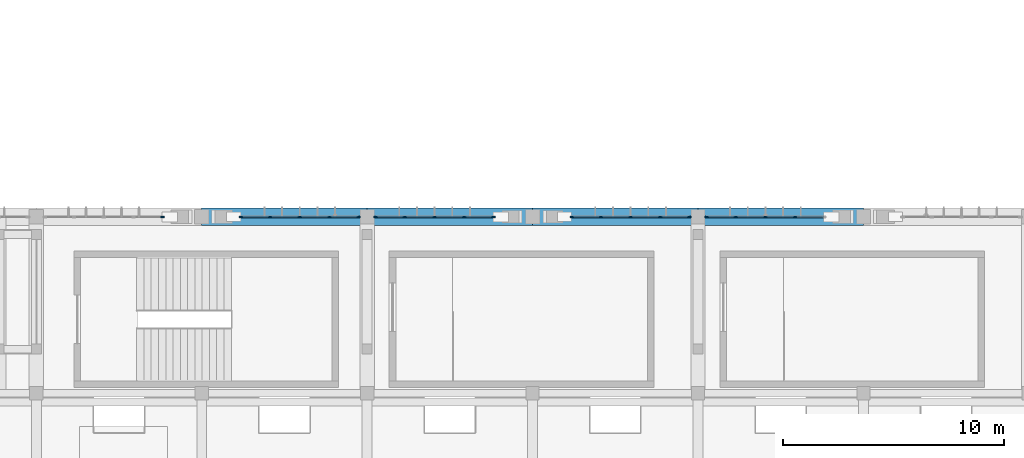
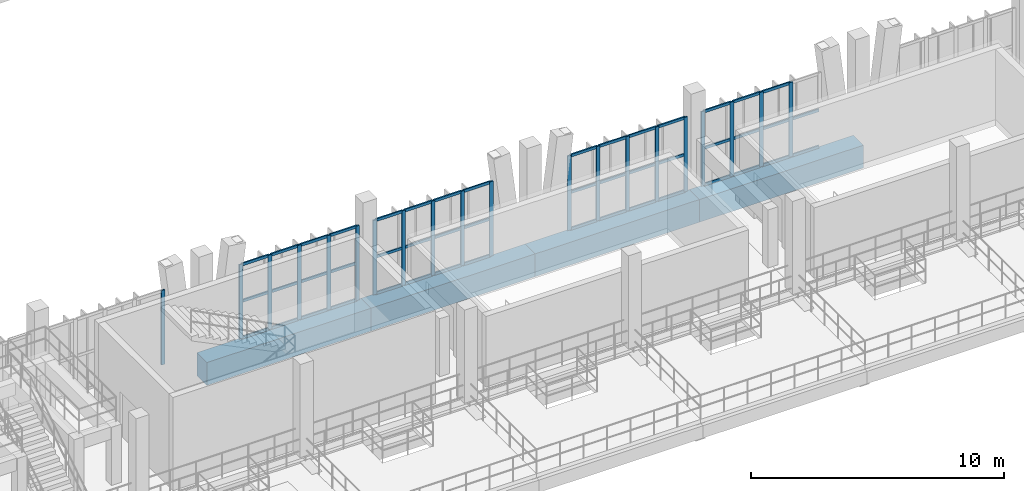
# One storey, part 17 of 81: 67 members, 4 beams, 5 elements without a shape of their own.
"""IFC4 building model written with IfcOpenShell, lengths in metres."""

from ifc_helpers import new_model, si_unit, direction, frame, origin, origin_2d, place, context, subcontext, project, spatial, rectangle, extrude, material, material_profile, profile_set, type_object, element, aggregate, save


model = new_model("IFC4")

# Units and contexts
model_context = context("Model", 3, precision=1e-05, world=origin(), true_north=direction((0.0, 1.0)))
body_context = subcontext(model_context, "Body", "Model", "MODEL_VIEW")
ifc_project = project(units=[si_unit("LENGTHUNIT", "METRE"), si_unit("AREAUNIT", "SQUARE_METRE"), si_unit("VOLUMEUNIT", "CUBIC_METRE"), si_unit("PLANEANGLEUNIT", "RADIAN"), si_unit("MASSUNIT", "GRAM", prefix="KILO")], contexts=[model_context])

# Site, building, storey
site_placement = place(None, origin())
site = spatial("IfcSite", under=ifc_project, at=site_placement, CompositionType="ELEMENT")
building_placement = place(site_placement, origin())
building = spatial("IfcBuilding", under=site, at=building_placement, Name="Vourika Railside Aquatics Centre", CompositionType="ELEMENT")
storey_placement = place(building_placement, frame((0.0, 0.0, 4.800048828125)))
storey = spatial("IfcBuildingStorey", under=building, at=storey_placement, Name="L01", CompositionType="ELEMENT", Elevation=4.800048828125)

# Beams
ifc_material_1 = material(Name="Concrete C40/50", Category="concrete")
ifc_material_profile_1 = material_profile(ifc_material_1, rectangle(XDim=0.800048828125, YDim=1.10009765625, at=origin_2d()), Name="RC 800x1100")
ifc_profile_set_1 = profile_set([ifc_material_profile_1], Name="Concrete C40/50")
beam_type = type_object("IfcBeamType", Name="BM-RING-800x1100", PredefinedType="BEAM", material=ifc_profile_set_1)
for number, where, z_axis, x_axis, name in (
    (1, (66.0, 66.0, -0.85009765625), (1.0, 0.0, 0.0), (0.0, 1.0, 0.0), "Floor Beam GX-L01-084"),
    (2, (73.5, 66.0, -0.85009765625), (1.0, 0.0, 0.0), (0.0, 1.0, 0.0), "Floor Beam GX-L01-085"),
    (3, (81.0, 66.0, -0.85009765625), (1.0, 0.0, 0.0), (0.0, 1.0, 0.0), "Floor Beam GX-L01-086"),
    (4, (88.5, 66.0, -0.85009765625), (1.0, 0.0, 0.0), (0.0, 1.0, 0.0), "Floor Beam GX-L01-087"),
):
    element("IfcBeam", number, at=place(storey_placement, frame(where, z_axis=z_axis, x_axis=x_axis)), inside=storey, type_object=beam_type, Name=name, PredefinedType="BEAM", context=body_context, shape_type="SweptSolid", body=[
        extrude(rectangle(XDim=0.800048828125, YDim=1.10009765625, at=origin_2d()), origin(), (0.0, 0.0, 1.0), 7.5),
    ])

# Curtain wall, member
ifc_material_2 = material(Name="Anodized thermally broken aluminium", Category="aluminium")
curtain_wall_type = type_object("IfcCurtainWallType", Name="CW-CRT1", PredefinedType="NOTDEFINED", material=ifc_material_2)
curtain_wall_1_placement = place(storey_placement, origin())
curtain_wall_1 = element("IfcCurtainWall", 5, at=curtain_wall_1_placement, inside=storey, type_object=curtain_wall_type, Name="Spectator Concourse Courtyard Curtain Wall 4", PredefinedType="NOTDEFINED")
ifc_material_3 = material(Name="Anodized aluminium mullion", Category="aluminium")
ifc_material_profile_2 = material_profile(ifc_material_3, rectangle(XDim=0.06591796875, YDim=0.16796875, at=origin_2d()), Name="ALU-M 66x168")
ifc_profile_set_2 = profile_set([ifc_material_profile_2], Name="Anodized aluminium mullion")
member_type_1 = type_object("IfcMemberType", Name="CWM-CRT1", PredefinedType="MULLION", material=ifc_profile_set_2)
member_1_placement = place(storey_placement, frame((64.217041015625, 66.0, 0.0), z_axis=(0.0, 0.0, 1.0), x_axis=(0.0, -1.0, 0.0)))
member_1 = element("IfcMember", 6, at=member_1_placement, type_object=member_type_1, Name="CW13 mullion 1", PredefinedType="MULLION", context=body_context, shape_type="SweptSolid", body=[
    extrude(rectangle(XDim=0.06591796875, YDim=0.16796875, at=origin_2d()), origin(), (0.0, 0.0, 1.0), 3.599853515625),
])
aggregate(curtain_wall_1, [member_1])

# Curtain wall, members
curtain_wall_2_placement = place(storey_placement, origin())
curtain_wall_2 = element("IfcCurtainWall", 7, at=curtain_wall_2_placement, inside=storey, type_object=curtain_wall_type, Name="Spectator Concourse Courtyard Curtain Wall 5", PredefinedType="NOTDEFINED")
member_2_placement = place(storey_placement, frame((73.10693359375, 66.0, 0.0), z_axis=(0.0, 0.0, 1.0), x_axis=(0.0, -1.0, 0.0)))
member_2 = element("IfcMember", 8, at=member_2_placement, type_object=member_type_1, Name="CW13 mullion 1", PredefinedType="MULLION", context=body_context, shape_type="SweptSolid", body=[
    extrude(rectangle(XDim=0.06591796875, YDim=0.16796875, at=origin_2d()), origin(), (0.0, 0.0, 1.0), 3.599853515625),
])
member_3_placement = place(storey_placement, frame((71.79248046875, 66.0, 0.0), z_axis=(0.0, 0.0, 1.0), x_axis=(0.0, -1.0, 0.0)))
member_3 = element("IfcMember", 9, at=member_3_placement, type_object=member_type_1, Name="CW13 mullion 2", PredefinedType="MULLION", context=body_context, shape_type="SweptSolid", body=[
    extrude(rectangle(XDim=0.06591796875, YDim=0.16796875, at=origin_2d()), origin(), (0.0, 0.0, 1.0), 3.599853515625),
])
member_4_placement = place(storey_placement, frame((70.445068359375, 66.0, 0.0), z_axis=(0.0, 0.0, 1.0), x_axis=(0.0, -1.0, 0.0)))
member_4 = element("IfcMember", 10, at=member_4_placement, type_object=member_type_1, Name="CW13 mullion 3", PredefinedType="MULLION", context=body_context, shape_type="SweptSolid", body=[
    extrude(rectangle(XDim=0.06591796875, YDim=0.16796875, at=origin_2d()), origin(), (0.0, 0.0, 1.0), 3.599853515625),
])
member_5_placement = place(storey_placement, frame((69.097412109375, 66.0, 0.0), z_axis=(0.0, 0.0, 1.0), x_axis=(0.0, -1.0, 0.0)))
member_5 = element("IfcMember", 11, at=member_5_placement, type_object=member_type_1, Name="CW13 mullion 4", PredefinedType="MULLION", context=body_context, shape_type="SweptSolid", body=[
    extrude(rectangle(XDim=0.06591796875, YDim=0.16796875, at=origin_2d()), origin(), (0.0, 0.0, 1.0), 3.599853515625),
])
member_6_placement = place(storey_placement, frame((67.782958984375, 66.0, 0.0), z_axis=(0.0, 0.0, 1.0), x_axis=(0.0, -1.0, 0.0)))
member_6 = element("IfcMember", 12, at=member_6_placement, type_object=member_type_1, Name="CW13 mullion 5", PredefinedType="MULLION", context=body_context, shape_type="SweptSolid", body=[
    extrude(rectangle(XDim=0.06591796875, YDim=0.16796875, at=origin_2d()), origin(), (0.0, 0.0, 1.0), 3.599853515625),
])

curtain_wall_3_placement = place(storey_placement, origin())
curtain_wall_3 = element("IfcCurtainWall", 13, at=curtain_wall_3_placement, inside=storey, type_object=curtain_wall_type, Name="Spectator Concourse Courtyard Curtain Wall 6", PredefinedType="NOTDEFINED")
member_7_placement = place(storey_placement, frame((79.217041015625, 66.0, 0.0), z_axis=(0.0, 0.0, 1.0), x_axis=(0.0, -1.0, 0.0)))
member_7 = element("IfcMember", 14, at=member_7_placement, type_object=member_type_1, Name="CW13 mullion 1", PredefinedType="MULLION", context=body_context, shape_type="SweptSolid", body=[
    extrude(rectangle(XDim=0.06591796875, YDim=0.16796875, at=origin_2d()), origin(), (0.0, 0.0, 1.0), 3.599853515625),
])
member_8_placement = place(storey_placement, frame((77.902587890625, 66.0, 0.0), z_axis=(0.0, 0.0, 1.0), x_axis=(0.0, -1.0, 0.0)))
member_8 = element("IfcMember", 15, at=member_8_placement, type_object=member_type_1, Name="CW13 mullion 2", PredefinedType="MULLION", context=body_context, shape_type="SweptSolid", body=[
    extrude(rectangle(XDim=0.06591796875, YDim=0.16796875, at=origin_2d()), origin(), (0.0, 0.0, 1.0), 3.599853515625),
])
member_9_placement = place(storey_placement, frame((76.554931640625, 66.0, 0.0), z_axis=(0.0, 0.0, 1.0), x_axis=(0.0, -1.0, 0.0)))
member_9 = element("IfcMember", 16, at=member_9_placement, type_object=member_type_1, Name="CW13 mullion 3", PredefinedType="MULLION", context=body_context, shape_type="SweptSolid", body=[
    extrude(rectangle(XDim=0.06591796875, YDim=0.16796875, at=origin_2d()), origin(), (0.0, 0.0, 1.0), 3.599853515625),
])
member_10_placement = place(storey_placement, frame((75.20751953125, 66.0, 0.0), z_axis=(0.0, 0.0, 1.0), x_axis=(0.0, -1.0, 0.0)))
member_10 = element("IfcMember", 17, at=member_10_placement, type_object=member_type_1, Name="CW13 mullion 4", PredefinedType="MULLION", context=body_context, shape_type="SweptSolid", body=[
    extrude(rectangle(XDim=0.06591796875, YDim=0.16796875, at=origin_2d()), origin(), (0.0, 0.0, 1.0), 3.599853515625),
])
member_11_placement = place(storey_placement, frame((73.89306640625, 66.0, 0.0), z_axis=(0.0, 0.0, 1.0), x_axis=(0.0, -1.0, 0.0)))
member_11 = element("IfcMember", 18, at=member_11_placement, type_object=member_type_1, Name="CW13 mullion 5", PredefinedType="MULLION", context=body_context, shape_type="SweptSolid", body=[
    extrude(rectangle(XDim=0.06591796875, YDim=0.16796875, at=origin_2d()), origin(), (0.0, 0.0, 1.0), 3.599853515625),
])

curtain_wall_4_placement = place(storey_placement, origin())
curtain_wall_4 = element("IfcCurtainWall", 19, at=curtain_wall_4_placement, inside=storey, type_object=curtain_wall_type, Name="Spectator Concourse Courtyard Curtain Wall 7", PredefinedType="NOTDEFINED")
member_12_placement = place(storey_placement, frame((88.10693359375, 66.0, 0.0), z_axis=(0.0, 0.0, 1.0), x_axis=(0.0, -1.0, 0.0)))
member_12 = element("IfcMember", 20, at=member_12_placement, type_object=member_type_1, Name="CW13 mullion 1", PredefinedType="MULLION", context=body_context, shape_type="SweptSolid", body=[
    extrude(rectangle(XDim=0.06591796875, YDim=0.16796875, at=origin_2d()), origin(), (0.0, 0.0, 1.0), 3.599853515625),
])
member_13_placement = place(storey_placement, frame((86.79248046875, 66.0, 0.0), z_axis=(0.0, 0.0, 1.0), x_axis=(0.0, -1.0, 0.0)))
member_13 = element("IfcMember", 21, at=member_13_placement, type_object=member_type_1, Name="CW13 mullion 2", PredefinedType="MULLION", context=body_context, shape_type="SweptSolid", body=[
    extrude(rectangle(XDim=0.06591796875, YDim=0.16796875, at=origin_2d()), origin(), (0.0, 0.0, 1.0), 3.599853515625),
])
member_14_placement = place(storey_placement, frame((85.445068359375, 66.0, 0.0), z_axis=(0.0, 0.0, 1.0), x_axis=(0.0, -1.0, 0.0)))
member_14 = element("IfcMember", 22, at=member_14_placement, type_object=member_type_1, Name="CW13 mullion 3", PredefinedType="MULLION", context=body_context, shape_type="SweptSolid", body=[
    extrude(rectangle(XDim=0.06591796875, YDim=0.16796875, at=origin_2d()), origin(), (0.0, 0.0, 1.0), 3.599853515625),
])
member_15_placement = place(storey_placement, frame((84.097412109375, 66.0, 0.0), z_axis=(0.0, 0.0, 1.0), x_axis=(0.0, -1.0, 0.0)))
member_15 = element("IfcMember", 23, at=member_15_placement, type_object=member_type_1, Name="CW13 mullion 4", PredefinedType="MULLION", context=body_context, shape_type="SweptSolid", body=[
    extrude(rectangle(XDim=0.06591796875, YDim=0.16796875, at=origin_2d()), origin(), (0.0, 0.0, 1.0), 3.599853515625),
])
member_16_placement = place(storey_placement, frame((82.782958984375, 66.0, 0.0), z_axis=(0.0, 0.0, 1.0), x_axis=(0.0, -1.0, 0.0)))
member_16 = element("IfcMember", 24, at=member_16_placement, type_object=member_type_1, Name="CW13 mullion 5", PredefinedType="MULLION", context=body_context, shape_type="SweptSolid", body=[
    extrude(rectangle(XDim=0.06591796875, YDim=0.16796875, at=origin_2d()), origin(), (0.0, 0.0, 1.0), 3.599853515625),
])

curtain_wall_5_placement = place(storey_placement, origin())
curtain_wall_5 = element("IfcCurtainWall", 25, at=curtain_wall_5_placement, inside=storey, type_object=curtain_wall_type, Name="Spectator Concourse Courtyard Curtain Wall 8", PredefinedType="NOTDEFINED")
member_17_placement = place(storey_placement, frame((92.902587890625, 66.0, 0.0), z_axis=(0.0, 0.0, 1.0), x_axis=(0.0, -1.0, 0.0)))
member_17 = element("IfcMember", 26, at=member_17_placement, type_object=member_type_1, Name="CW13 mullion 2", PredefinedType="MULLION", context=body_context, shape_type="SweptSolid", body=[
    extrude(rectangle(XDim=0.06591796875, YDim=0.16796875, at=origin_2d()), origin(), (0.0, 0.0, 1.0), 3.599853515625),
])
member_18_placement = place(storey_placement, frame((91.554931640625, 66.0, 0.0), z_axis=(0.0, 0.0, 1.0), x_axis=(0.0, -1.0, 0.0)))
member_18 = element("IfcMember", 27, at=member_18_placement, type_object=member_type_1, Name="CW13 mullion 3", PredefinedType="MULLION", context=body_context, shape_type="SweptSolid", body=[
    extrude(rectangle(XDim=0.06591796875, YDim=0.16796875, at=origin_2d()), origin(), (0.0, 0.0, 1.0), 3.599853515625),
])
member_19_placement = place(storey_placement, frame((90.20751953125, 66.0, 0.0), z_axis=(0.0, 0.0, 1.0), x_axis=(0.0, -1.0, 0.0)))
member_19 = element("IfcMember", 28, at=member_19_placement, type_object=member_type_1, Name="CW13 mullion 4", PredefinedType="MULLION", context=body_context, shape_type="SweptSolid", body=[
    extrude(rectangle(XDim=0.06591796875, YDim=0.16796875, at=origin_2d()), origin(), (0.0, 0.0, 1.0), 3.599853515625),
])
member_20_placement = place(storey_placement, frame((88.89306640625, 66.0, 0.0), z_axis=(0.0, 0.0, 1.0), x_axis=(0.0, -1.0, 0.0)))
member_20 = element("IfcMember", 29, at=member_20_placement, type_object=member_type_1, Name="CW13 mullion 5", PredefinedType="MULLION", context=body_context, shape_type="SweptSolid", body=[
    extrude(rectangle(XDim=0.06591796875, YDim=0.16796875, at=origin_2d()), origin(), (0.0, 0.0, 1.0), 3.599853515625),
])

# Member
ifc_material_4 = material(Name="Anodized aluminium transom", Category="aluminium")
ifc_material_profile_3 = material_profile(ifc_material_4, rectangle(XDim=0.06591796875, YDim=0.132080078125, at=origin_2d()), Name="ALU-T 66x132")
ifc_profile_set_3 = profile_set([ifc_material_profile_3], Name="Anodized aluminium transom")
member_type_2 = type_object("IfcMemberType", Name="CWT-CRT1", PredefinedType="USERDEFINED", material=ifc_profile_set_3)
member_21_placement = place(storey_placement, frame((73.073974609375, 66.0, 0.032958984375), z_axis=(-1.0, 0.0, 0.0), x_axis=(0.0, -1.0, 0.0)))
member_21 = element("IfcMember", 30, at=member_21_placement, type_object=member_type_2, Name="CW13 transom 1.1", ObjectType="TRANSOM", PredefinedType="USERDEFINED", context=body_context, shape_type="SweptSolid", body=[
    extrude(rectangle(XDim=0.06591796875, YDim=0.132080078125, at=origin_2d()), origin(), (0.0, 0.0, 1.0), 1.24853515625),
])

member_22_placement = place(storey_placement, frame((73.073974609375, 66.0, 1.800048828125), z_axis=(-1.0, 0.0, 0.0), x_axis=(0.0, -1.0, 0.0)))
member_22 = element("IfcMember", 31, at=member_22_placement, type_object=member_type_2, Name="CW13 transom 1.2", ObjectType="TRANSOM", PredefinedType="USERDEFINED", context=body_context, shape_type="SweptSolid", body=[
    extrude(rectangle(XDim=0.06591796875, YDim=0.132080078125, at=origin_2d()), origin(), (0.0, 0.0, 1.0), 1.24853515625),
])

member_23_placement = place(storey_placement, frame((73.073974609375, 66.0, 3.56689453125), z_axis=(-1.0, 0.0, 0.0), x_axis=(0.0, -1.0, 0.0)))
member_23 = element("IfcMember", 32, at=member_23_placement, type_object=member_type_2, Name="CW13 transom 1.3", ObjectType="TRANSOM", PredefinedType="USERDEFINED", context=body_context, shape_type="SweptSolid", body=[
    extrude(rectangle(XDim=0.06591796875, YDim=0.132080078125, at=origin_2d()), origin(), (0.0, 0.0, 1.0), 1.24853515625),
])

member_24_placement = place(storey_placement, frame((71.759521484375, 66.0, 0.032958984375), z_axis=(-1.0, 0.0, 0.0), x_axis=(0.0, -1.0, 0.0)))
member_24 = element("IfcMember", 33, at=member_24_placement, type_object=member_type_2, Name="CW13 transom 2.1", ObjectType="TRANSOM", PredefinedType="USERDEFINED", context=body_context, shape_type="SweptSolid", body=[
    extrude(rectangle(XDim=0.06591796875, YDim=0.132080078125, at=origin_2d()), origin(), (0.0, 0.0, 1.0), 1.281494140625),
])

member_25_placement = place(storey_placement, frame((71.759521484375, 66.0, 1.800048828125), z_axis=(-1.0, 0.0, 0.0), x_axis=(0.0, -1.0, 0.0)))
member_25 = element("IfcMember", 34, at=member_25_placement, type_object=member_type_2, Name="CW13 transom 2.2", ObjectType="TRANSOM", PredefinedType="USERDEFINED", context=body_context, shape_type="SweptSolid", body=[
    extrude(rectangle(XDim=0.06591796875, YDim=0.132080078125, at=origin_2d()), origin(), (0.0, 0.0, 1.0), 1.281494140625),
])

member_26_placement = place(storey_placement, frame((71.759521484375, 66.0, 3.56689453125), z_axis=(-1.0, 0.0, 0.0), x_axis=(0.0, -1.0, 0.0)))
member_26 = element("IfcMember", 35, at=member_26_placement, type_object=member_type_2, Name="CW13 transom 2.3", ObjectType="TRANSOM", PredefinedType="USERDEFINED", context=body_context, shape_type="SweptSolid", body=[
    extrude(rectangle(XDim=0.06591796875, YDim=0.132080078125, at=origin_2d()), origin(), (0.0, 0.0, 1.0), 1.281494140625),
])

member_27_placement = place(storey_placement, frame((70.412109375, 66.0, 0.032958984375), z_axis=(-1.0, 0.0, 0.0), x_axis=(0.0, -1.0, 0.0)))
member_27 = element("IfcMember", 36, at=member_27_placement, type_object=member_type_2, Name="CW13 transom 3.1", ObjectType="TRANSOM", PredefinedType="USERDEFINED", context=body_context, shape_type="SweptSolid", body=[
    extrude(rectangle(XDim=0.06591796875, YDim=0.132080078125, at=origin_2d()), origin(), (0.0, 0.0, 1.0), 1.281494140625),
])

member_28_placement = place(storey_placement, frame((70.412109375, 66.0, 1.800048828125), z_axis=(-1.0, 0.0, 0.0), x_axis=(0.0, -1.0, 0.0)))
member_28 = element("IfcMember", 37, at=member_28_placement, type_object=member_type_2, Name="CW13 transom 3.2", ObjectType="TRANSOM", PredefinedType="USERDEFINED", context=body_context, shape_type="SweptSolid", body=[
    extrude(rectangle(XDim=0.06591796875, YDim=0.132080078125, at=origin_2d()), origin(), (0.0, 0.0, 1.0), 1.281494140625),
])

member_29_placement = place(storey_placement, frame((70.412109375, 66.0, 3.56689453125), z_axis=(-1.0, 0.0, 0.0), x_axis=(0.0, -1.0, 0.0)))
member_29 = element("IfcMember", 38, at=member_29_placement, type_object=member_type_2, Name="CW13 transom 3.3", ObjectType="TRANSOM", PredefinedType="USERDEFINED", context=body_context, shape_type="SweptSolid", body=[
    extrude(rectangle(XDim=0.06591796875, YDim=0.132080078125, at=origin_2d()), origin(), (0.0, 0.0, 1.0), 1.281494140625),
])

member_30_placement = place(storey_placement, frame((69.064453125, 66.0, 0.032958984375), z_axis=(-1.0, 0.0, 0.0), x_axis=(0.0, -1.0, 0.0)))
member_30 = element("IfcMember", 39, at=member_30_placement, type_object=member_type_2, Name="CW13 transom 4.1", ObjectType="TRANSOM", PredefinedType="USERDEFINED", context=body_context, shape_type="SweptSolid", body=[
    extrude(rectangle(XDim=0.06591796875, YDim=0.132080078125, at=origin_2d()), origin(), (0.0, 0.0, 1.0), 1.24853515625),
])

member_31_placement = place(storey_placement, frame((69.064453125, 66.0, 1.800048828125), z_axis=(-1.0, 0.0, 0.0), x_axis=(0.0, -1.0, 0.0)))
member_31 = element("IfcMember", 40, at=member_31_placement, type_object=member_type_2, Name="CW13 transom 4.2", ObjectType="TRANSOM", PredefinedType="USERDEFINED", context=body_context, shape_type="SweptSolid", body=[
    extrude(rectangle(XDim=0.06591796875, YDim=0.132080078125, at=origin_2d()), origin(), (0.0, 0.0, 1.0), 1.24853515625),
])

member_32_placement = place(storey_placement, frame((69.064453125, 66.0, 3.56689453125), z_axis=(-1.0, 0.0, 0.0), x_axis=(0.0, -1.0, 0.0)))
member_32 = element("IfcMember", 41, at=member_32_placement, type_object=member_type_2, Name="CW13 transom 4.3", ObjectType="TRANSOM", PredefinedType="USERDEFINED", context=body_context, shape_type="SweptSolid", body=[
    extrude(rectangle(XDim=0.06591796875, YDim=0.132080078125, at=origin_2d()), origin(), (0.0, 0.0, 1.0), 1.24853515625),
])

aggregate(curtain_wall_2, [member_2, member_3, member_4, member_5, member_6, member_21, member_22, member_23, member_24, member_25, member_26, member_27, member_28, member_29, member_30, member_31, member_32])

member_33_placement = place(storey_placement, frame((79.18408203125, 66.0, 0.032958984375), z_axis=(-1.0, 0.0, 0.0), x_axis=(0.0, -1.0, 0.0)))
member_33 = element("IfcMember", 42, at=member_33_placement, type_object=member_type_2, Name="CW13 transom 1.1", ObjectType="TRANSOM", PredefinedType="USERDEFINED", context=body_context, shape_type="SweptSolid", body=[
    extrude(rectangle(XDim=0.06591796875, YDim=0.132080078125, at=origin_2d()), origin(), (0.0, 0.0, 1.0), 1.24853515625),
])

member_34_placement = place(storey_placement, frame((79.18408203125, 66.0, 1.800048828125), z_axis=(-1.0, 0.0, 0.0), x_axis=(0.0, -1.0, 0.0)))
member_34 = element("IfcMember", 43, at=member_34_placement, type_object=member_type_2, Name="CW13 transom 1.2", ObjectType="TRANSOM", PredefinedType="USERDEFINED", context=body_context, shape_type="SweptSolid", body=[
    extrude(rectangle(XDim=0.06591796875, YDim=0.132080078125, at=origin_2d()), origin(), (0.0, 0.0, 1.0), 1.24853515625),
])

member_35_placement = place(storey_placement, frame((79.18408203125, 66.0, 3.56689453125), z_axis=(-1.0, 0.0, 0.0), x_axis=(0.0, -1.0, 0.0)))
member_35 = element("IfcMember", 44, at=member_35_placement, type_object=member_type_2, Name="CW13 transom 1.3", ObjectType="TRANSOM", PredefinedType="USERDEFINED", context=body_context, shape_type="SweptSolid", body=[
    extrude(rectangle(XDim=0.06591796875, YDim=0.132080078125, at=origin_2d()), origin(), (0.0, 0.0, 1.0), 1.24853515625),
])

member_36_placement = place(storey_placement, frame((77.869384765625, 66.0, 0.032958984375), z_axis=(-1.0, 0.0, 0.0), x_axis=(0.0, -1.0, 0.0)))
member_36 = element("IfcMember", 45, at=member_36_placement, type_object=member_type_2, Name="CW13 transom 2.1", ObjectType="TRANSOM", PredefinedType="USERDEFINED", context=body_context, shape_type="SweptSolid", body=[
    extrude(rectangle(XDim=0.06591796875, YDim=0.132080078125, at=origin_2d()), origin(), (0.0, 0.0, 1.0), 1.281494140625),
])

member_37_placement = place(storey_placement, frame((77.869384765625, 66.0, 1.800048828125), z_axis=(-1.0, 0.0, 0.0), x_axis=(0.0, -1.0, 0.0)))
member_37 = element("IfcMember", 46, at=member_37_placement, type_object=member_type_2, Name="CW13 transom 2.2", ObjectType="TRANSOM", PredefinedType="USERDEFINED", context=body_context, shape_type="SweptSolid", body=[
    extrude(rectangle(XDim=0.06591796875, YDim=0.132080078125, at=origin_2d()), origin(), (0.0, 0.0, 1.0), 1.281494140625),
])

member_38_placement = place(storey_placement, frame((77.869384765625, 66.0, 3.56689453125), z_axis=(-1.0, 0.0, 0.0), x_axis=(0.0, -1.0, 0.0)))
member_38 = element("IfcMember", 47, at=member_38_placement, type_object=member_type_2, Name="CW13 transom 2.3", ObjectType="TRANSOM", PredefinedType="USERDEFINED", context=body_context, shape_type="SweptSolid", body=[
    extrude(rectangle(XDim=0.06591796875, YDim=0.132080078125, at=origin_2d()), origin(), (0.0, 0.0, 1.0), 1.281494140625),
])

member_39_placement = place(storey_placement, frame((76.52197265625, 66.0, 0.032958984375), z_axis=(-1.0, 0.0, 0.0), x_axis=(0.0, -1.0, 0.0)))
member_39 = element("IfcMember", 48, at=member_39_placement, type_object=member_type_2, Name="CW13 transom 3.1", ObjectType="TRANSOM", PredefinedType="USERDEFINED", context=body_context, shape_type="SweptSolid", body=[
    extrude(rectangle(XDim=0.06591796875, YDim=0.132080078125, at=origin_2d()), origin(), (0.0, 0.0, 1.0), 1.281494140625),
])

member_40_placement = place(storey_placement, frame((76.52197265625, 66.0, 1.800048828125), z_axis=(-1.0, 0.0, 0.0), x_axis=(0.0, -1.0, 0.0)))
member_40 = element("IfcMember", 49, at=member_40_placement, type_object=member_type_2, Name="CW13 transom 3.2", ObjectType="TRANSOM", PredefinedType="USERDEFINED", context=body_context, shape_type="SweptSolid", body=[
    extrude(rectangle(XDim=0.06591796875, YDim=0.132080078125, at=origin_2d()), origin(), (0.0, 0.0, 1.0), 1.281494140625),
])

member_41_placement = place(storey_placement, frame((76.52197265625, 66.0, 3.56689453125), z_axis=(-1.0, 0.0, 0.0), x_axis=(0.0, -1.0, 0.0)))
member_41 = element("IfcMember", 50, at=member_41_placement, type_object=member_type_2, Name="CW13 transom 3.3", ObjectType="TRANSOM", PredefinedType="USERDEFINED", context=body_context, shape_type="SweptSolid", body=[
    extrude(rectangle(XDim=0.06591796875, YDim=0.132080078125, at=origin_2d()), origin(), (0.0, 0.0, 1.0), 1.281494140625),
])

member_42_placement = place(storey_placement, frame((75.174560546875, 66.0, 0.032958984375), z_axis=(-1.0, 0.0, 0.0), x_axis=(0.0, -1.0, 0.0)))
member_42 = element("IfcMember", 51, at=member_42_placement, type_object=member_type_2, Name="CW13 transom 4.1", ObjectType="TRANSOM", PredefinedType="USERDEFINED", context=body_context, shape_type="SweptSolid", body=[
    extrude(rectangle(XDim=0.06591796875, YDim=0.132080078125, at=origin_2d()), origin(), (0.0, 0.0, 1.0), 1.24853515625),
])

member_43_placement = place(storey_placement, frame((75.174560546875, 66.0, 1.800048828125), z_axis=(-1.0, 0.0, 0.0), x_axis=(0.0, -1.0, 0.0)))
member_43 = element("IfcMember", 52, at=member_43_placement, type_object=member_type_2, Name="CW13 transom 4.2", ObjectType="TRANSOM", PredefinedType="USERDEFINED", context=body_context, shape_type="SweptSolid", body=[
    extrude(rectangle(XDim=0.06591796875, YDim=0.132080078125, at=origin_2d()), origin(), (0.0, 0.0, 1.0), 1.24853515625),
])

member_44_placement = place(storey_placement, frame((75.174560546875, 66.0, 3.56689453125), z_axis=(-1.0, 0.0, 0.0), x_axis=(0.0, -1.0, 0.0)))
member_44 = element("IfcMember", 53, at=member_44_placement, type_object=member_type_2, Name="CW13 transom 4.3", ObjectType="TRANSOM", PredefinedType="USERDEFINED", context=body_context, shape_type="SweptSolid", body=[
    extrude(rectangle(XDim=0.06591796875, YDim=0.132080078125, at=origin_2d()), origin(), (0.0, 0.0, 1.0), 1.24853515625),
])

aggregate(curtain_wall_3, [member_7, member_8, member_9, member_10, member_11, member_33, member_34, member_35, member_36, member_37, member_38, member_39, member_40, member_41, member_42, member_43, member_44])

member_45_placement = place(storey_placement, frame((88.073974609375, 66.0, 0.032958984375), z_axis=(-1.0, 0.0, 0.0), x_axis=(0.0, -1.0, 0.0)))
member_45 = element("IfcMember", 54, at=member_45_placement, type_object=member_type_2, Name="CW13 transom 1.1", ObjectType="TRANSOM", PredefinedType="USERDEFINED", context=body_context, shape_type="SweptSolid", body=[
    extrude(rectangle(XDim=0.06591796875, YDim=0.132080078125, at=origin_2d()), origin(), (0.0, 0.0, 1.0), 1.24853515625),
])

member_46_placement = place(storey_placement, frame((88.073974609375, 66.0, 1.800048828125), z_axis=(-1.0, 0.0, 0.0), x_axis=(0.0, -1.0, 0.0)))
member_46 = element("IfcMember", 55, at=member_46_placement, type_object=member_type_2, Name="CW13 transom 1.2", ObjectType="TRANSOM", PredefinedType="USERDEFINED", context=body_context, shape_type="SweptSolid", body=[
    extrude(rectangle(XDim=0.06591796875, YDim=0.132080078125, at=origin_2d()), origin(), (0.0, 0.0, 1.0), 1.24853515625),
])

member_47_placement = place(storey_placement, frame((88.073974609375, 66.0, 3.56689453125), z_axis=(-1.0, 0.0, 0.0), x_axis=(0.0, -1.0, 0.0)))
member_47 = element("IfcMember", 56, at=member_47_placement, type_object=member_type_2, Name="CW13 transom 1.3", ObjectType="TRANSOM", PredefinedType="USERDEFINED", context=body_context, shape_type="SweptSolid", body=[
    extrude(rectangle(XDim=0.06591796875, YDim=0.132080078125, at=origin_2d()), origin(), (0.0, 0.0, 1.0), 1.24853515625),
])

member_48_placement = place(storey_placement, frame((86.759521484375, 66.0, 0.032958984375), z_axis=(-1.0, 0.0, 0.0), x_axis=(0.0, -1.0, 0.0)))
member_48 = element("IfcMember", 57, at=member_48_placement, type_object=member_type_2, Name="CW13 transom 2.1", ObjectType="TRANSOM", PredefinedType="USERDEFINED", context=body_context, shape_type="SweptSolid", body=[
    extrude(rectangle(XDim=0.06591796875, YDim=0.132080078125, at=origin_2d()), origin(), (0.0, 0.0, 1.0), 1.281494140625),
])

member_49_placement = place(storey_placement, frame((86.759521484375, 66.0, 1.800048828125), z_axis=(-1.0, 0.0, 0.0), x_axis=(0.0, -1.0, 0.0)))
member_49 = element("IfcMember", 58, at=member_49_placement, type_object=member_type_2, Name="CW13 transom 2.2", ObjectType="TRANSOM", PredefinedType="USERDEFINED", context=body_context, shape_type="SweptSolid", body=[
    extrude(rectangle(XDim=0.06591796875, YDim=0.132080078125, at=origin_2d()), origin(), (0.0, 0.0, 1.0), 1.281494140625),
])

member_50_placement = place(storey_placement, frame((86.759521484375, 66.0, 3.56689453125), z_axis=(-1.0, 0.0, 0.0), x_axis=(0.0, -1.0, 0.0)))
member_50 = element("IfcMember", 59, at=member_50_placement, type_object=member_type_2, Name="CW13 transom 2.3", ObjectType="TRANSOM", PredefinedType="USERDEFINED", context=body_context, shape_type="SweptSolid", body=[
    extrude(rectangle(XDim=0.06591796875, YDim=0.132080078125, at=origin_2d()), origin(), (0.0, 0.0, 1.0), 1.281494140625),
])

member_51_placement = place(storey_placement, frame((85.412109375, 66.0, 0.032958984375), z_axis=(-1.0, 0.0, 0.0), x_axis=(0.0, -1.0, 0.0)))
member_51 = element("IfcMember", 60, at=member_51_placement, type_object=member_type_2, Name="CW13 transom 3.1", ObjectType="TRANSOM", PredefinedType="USERDEFINED", context=body_context, shape_type="SweptSolid", body=[
    extrude(rectangle(XDim=0.06591796875, YDim=0.132080078125, at=origin_2d()), origin(), (0.0, 0.0, 1.0), 1.281494140625),
])

member_52_placement = place(storey_placement, frame((85.412109375, 66.0, 1.800048828125), z_axis=(-1.0, 0.0, 0.0), x_axis=(0.0, -1.0, 0.0)))
member_52 = element("IfcMember", 61, at=member_52_placement, type_object=member_type_2, Name="CW13 transom 3.2", ObjectType="TRANSOM", PredefinedType="USERDEFINED", context=body_context, shape_type="SweptSolid", body=[
    extrude(rectangle(XDim=0.06591796875, YDim=0.132080078125, at=origin_2d()), origin(), (0.0, 0.0, 1.0), 1.281494140625),
])

member_53_placement = place(storey_placement, frame((85.412109375, 66.0, 3.56689453125), z_axis=(-1.0, 0.0, 0.0), x_axis=(0.0, -1.0, 0.0)))
member_53 = element("IfcMember", 62, at=member_53_placement, type_object=member_type_2, Name="CW13 transom 3.3", ObjectType="TRANSOM", PredefinedType="USERDEFINED", context=body_context, shape_type="SweptSolid", body=[
    extrude(rectangle(XDim=0.06591796875, YDim=0.132080078125, at=origin_2d()), origin(), (0.0, 0.0, 1.0), 1.281494140625),
])

member_54_placement = place(storey_placement, frame((84.064453125, 66.0, 0.032958984375), z_axis=(-1.0, 0.0, 0.0), x_axis=(0.0, -1.0, 0.0)))
member_54 = element("IfcMember", 63, at=member_54_placement, type_object=member_type_2, Name="CW13 transom 4.1", ObjectType="TRANSOM", PredefinedType="USERDEFINED", context=body_context, shape_type="SweptSolid", body=[
    extrude(rectangle(XDim=0.06591796875, YDim=0.132080078125, at=origin_2d()), origin(), (0.0, 0.0, 1.0), 1.24853515625),
])

member_55_placement = place(storey_placement, frame((84.064453125, 66.0, 1.800048828125), z_axis=(-1.0, 0.0, 0.0), x_axis=(0.0, -1.0, 0.0)))
member_55 = element("IfcMember", 64, at=member_55_placement, type_object=member_type_2, Name="CW13 transom 4.2", ObjectType="TRANSOM", PredefinedType="USERDEFINED", context=body_context, shape_type="SweptSolid", body=[
    extrude(rectangle(XDim=0.06591796875, YDim=0.132080078125, at=origin_2d()), origin(), (0.0, 0.0, 1.0), 1.24853515625),
])

member_56_placement = place(storey_placement, frame((84.064453125, 66.0, 3.56689453125), z_axis=(-1.0, 0.0, 0.0), x_axis=(0.0, -1.0, 0.0)))
member_56 = element("IfcMember", 65, at=member_56_placement, type_object=member_type_2, Name="CW13 transom 4.3", ObjectType="TRANSOM", PredefinedType="USERDEFINED", context=body_context, shape_type="SweptSolid", body=[
    extrude(rectangle(XDim=0.06591796875, YDim=0.132080078125, at=origin_2d()), origin(), (0.0, 0.0, 1.0), 1.24853515625),
])

aggregate(curtain_wall_4, [member_12, member_13, member_14, member_15, member_16, member_45, member_46, member_47, member_48, member_49, member_50, member_51, member_52, member_53, member_54, member_55, member_56])

member_57_placement = place(storey_placement, frame((94.18408203125, 66.0, 0.032958984375), z_axis=(-1.0, 0.0, 0.0), x_axis=(0.0, -1.0, 0.0)))
member_57 = element("IfcMember", 66, at=member_57_placement, type_object=member_type_2, Name="CW13 transom 1.1", ObjectType="TRANSOM", PredefinedType="USERDEFINED", context=body_context, shape_type="SweptSolid", body=[
    extrude(rectangle(XDim=0.06591796875, YDim=0.132080078125, at=origin_2d()), origin(), (0.0, 0.0, 1.0), 1.24853515625),
])

member_58_placement = place(storey_placement, frame((94.18408203125, 66.0, 1.800048828125), z_axis=(-1.0, 0.0, 0.0), x_axis=(0.0, -1.0, 0.0)))
member_58 = element("IfcMember", 67, at=member_58_placement, type_object=member_type_2, Name="CW13 transom 1.2", ObjectType="TRANSOM", PredefinedType="USERDEFINED", context=body_context, shape_type="SweptSolid", body=[
    extrude(rectangle(XDim=0.06591796875, YDim=0.132080078125, at=origin_2d()), origin(), (0.0, 0.0, 1.0), 1.24853515625),
])

member_59_placement = place(storey_placement, frame((92.869384765625, 66.0, 0.032958984375), z_axis=(-1.0, 0.0, 0.0), x_axis=(0.0, -1.0, 0.0)))
member_59 = element("IfcMember", 68, at=member_59_placement, type_object=member_type_2, Name="CW13 transom 2.1", ObjectType="TRANSOM", PredefinedType="USERDEFINED", context=body_context, shape_type="SweptSolid", body=[
    extrude(rectangle(XDim=0.06591796875, YDim=0.132080078125, at=origin_2d()), origin(), (0.0, 0.0, 1.0), 1.281494140625),
])

member_60_placement = place(storey_placement, frame((92.869384765625, 66.0, 1.800048828125), z_axis=(-1.0, 0.0, 0.0), x_axis=(0.0, -1.0, 0.0)))
member_60 = element("IfcMember", 69, at=member_60_placement, type_object=member_type_2, Name="CW13 transom 2.2", ObjectType="TRANSOM", PredefinedType="USERDEFINED", context=body_context, shape_type="SweptSolid", body=[
    extrude(rectangle(XDim=0.06591796875, YDim=0.132080078125, at=origin_2d()), origin(), (0.0, 0.0, 1.0), 1.281494140625),
])

member_61_placement = place(storey_placement, frame((92.869384765625, 66.0, 3.56689453125), z_axis=(-1.0, 0.0, 0.0), x_axis=(0.0, -1.0, 0.0)))
member_61 = element("IfcMember", 70, at=member_61_placement, type_object=member_type_2, Name="CW13 transom 2.3", ObjectType="TRANSOM", PredefinedType="USERDEFINED", context=body_context, shape_type="SweptSolid", body=[
    extrude(rectangle(XDim=0.06591796875, YDim=0.132080078125, at=origin_2d()), origin(), (0.0, 0.0, 1.0), 1.281494140625),
])

member_62_placement = place(storey_placement, frame((91.52197265625, 66.0, 0.032958984375), z_axis=(-1.0, 0.0, 0.0), x_axis=(0.0, -1.0, 0.0)))
member_62 = element("IfcMember", 71, at=member_62_placement, type_object=member_type_2, Name="CW13 transom 3.1", ObjectType="TRANSOM", PredefinedType="USERDEFINED", context=body_context, shape_type="SweptSolid", body=[
    extrude(rectangle(XDim=0.06591796875, YDim=0.132080078125, at=origin_2d()), origin(), (0.0, 0.0, 1.0), 1.281494140625),
])

member_63_placement = place(storey_placement, frame((91.52197265625, 66.0, 1.800048828125), z_axis=(-1.0, 0.0, 0.0), x_axis=(0.0, -1.0, 0.0)))
member_63 = element("IfcMember", 72, at=member_63_placement, type_object=member_type_2, Name="CW13 transom 3.2", ObjectType="TRANSOM", PredefinedType="USERDEFINED", context=body_context, shape_type="SweptSolid", body=[
    extrude(rectangle(XDim=0.06591796875, YDim=0.132080078125, at=origin_2d()), origin(), (0.0, 0.0, 1.0), 1.281494140625),
])

member_64_placement = place(storey_placement, frame((91.52197265625, 66.0, 3.56689453125), z_axis=(-1.0, 0.0, 0.0), x_axis=(0.0, -1.0, 0.0)))
member_64 = element("IfcMember", 73, at=member_64_placement, type_object=member_type_2, Name="CW13 transom 3.3", ObjectType="TRANSOM", PredefinedType="USERDEFINED", context=body_context, shape_type="SweptSolid", body=[
    extrude(rectangle(XDim=0.06591796875, YDim=0.132080078125, at=origin_2d()), origin(), (0.0, 0.0, 1.0), 1.281494140625),
])

member_65_placement = place(storey_placement, frame((90.174560546875, 66.0, 0.032958984375), z_axis=(-1.0, 0.0, 0.0), x_axis=(0.0, -1.0, 0.0)))
member_65 = element("IfcMember", 74, at=member_65_placement, type_object=member_type_2, Name="CW13 transom 4.1", ObjectType="TRANSOM", PredefinedType="USERDEFINED", context=body_context, shape_type="SweptSolid", body=[
    extrude(rectangle(XDim=0.06591796875, YDim=0.132080078125, at=origin_2d()), origin(), (0.0, 0.0, 1.0), 1.24853515625),
])

member_66_placement = place(storey_placement, frame((90.174560546875, 66.0, 1.800048828125), z_axis=(-1.0, 0.0, 0.0), x_axis=(0.0, -1.0, 0.0)))
member_66 = element("IfcMember", 75, at=member_66_placement, type_object=member_type_2, Name="CW13 transom 4.2", ObjectType="TRANSOM", PredefinedType="USERDEFINED", context=body_context, shape_type="SweptSolid", body=[
    extrude(rectangle(XDim=0.06591796875, YDim=0.132080078125, at=origin_2d()), origin(), (0.0, 0.0, 1.0), 1.24853515625),
])

member_67_placement = place(storey_placement, frame((90.174560546875, 66.0, 3.56689453125), z_axis=(-1.0, 0.0, 0.0), x_axis=(0.0, -1.0, 0.0)))
member_67 = element("IfcMember", 76, at=member_67_placement, type_object=member_type_2, Name="CW13 transom 4.3", ObjectType="TRANSOM", PredefinedType="USERDEFINED", context=body_context, shape_type="SweptSolid", body=[
    extrude(rectangle(XDim=0.06591796875, YDim=0.132080078125, at=origin_2d()), origin(), (0.0, 0.0, 1.0), 1.24853515625),
])

aggregate(curtain_wall_5, [member_17, member_18, member_19, member_20, member_57, member_58, member_59, member_60, member_61, member_62, member_63, member_64, member_65, member_66, member_67])

save(model, "model.ifc")
